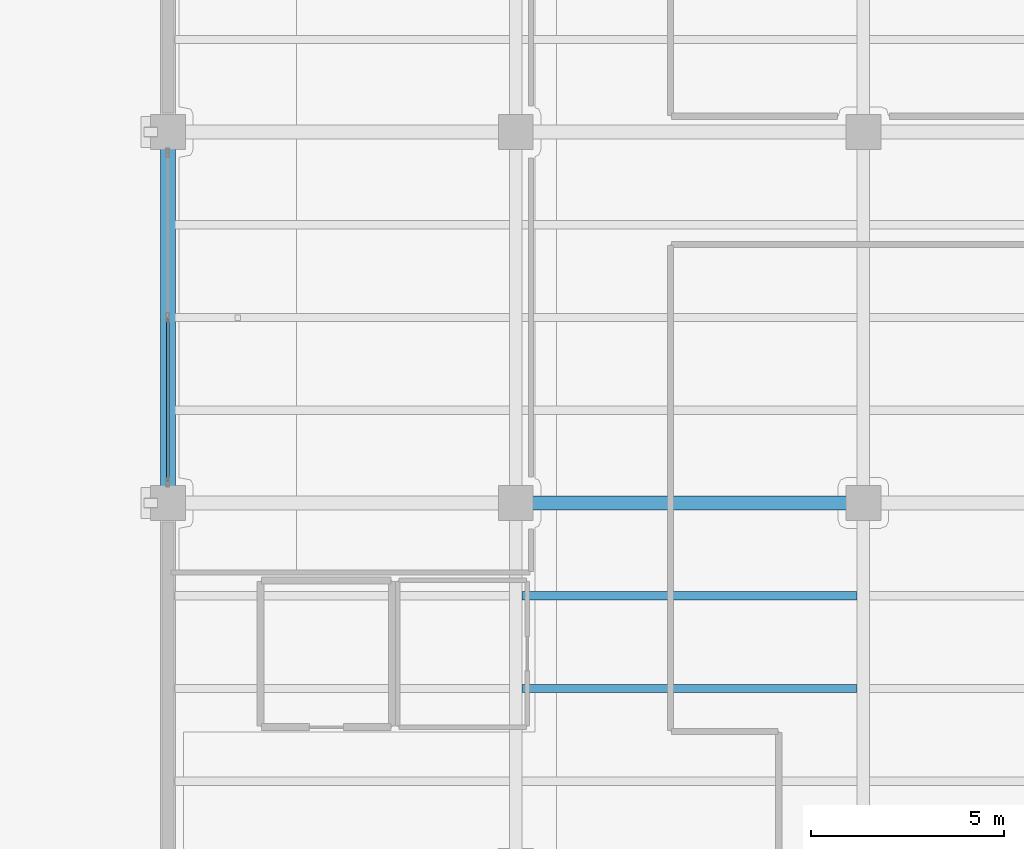
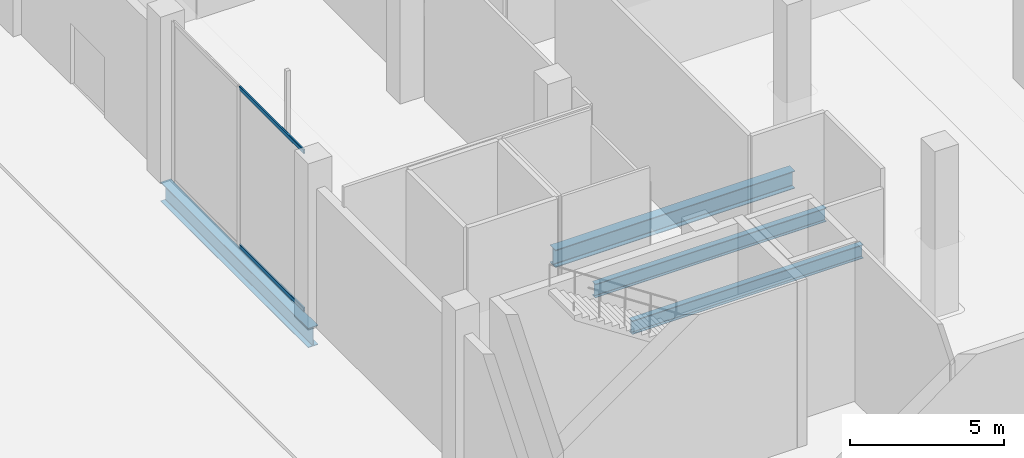
# One storey, part 4 of 45: 4 beams, 2 members, 1 element without a shape of its own.
"""IFC4 building model written with IfcOpenShell, lengths in metres."""

from ifc_helpers import new_model, si_unit, direction, frame, origin, origin_2d, place, context, subcontext, project, spatial, hollow_rectangle, i_section, extrude, material, layer, layer_set, material_profile, profile_set, type_object, element, aggregate, save


model = new_model("IFC4")

# Units and contexts
model_context = context("Model", 3, precision=1e-05, world=origin(), true_north=direction((0.0, 1.0)))
body_context = subcontext(model_context, "Body", "Model", "MODEL_VIEW")
ifc_project = project(units=[si_unit("LENGTHUNIT", "METRE"), si_unit("AREAUNIT", "SQUARE_METRE"), si_unit("VOLUMEUNIT", "CUBIC_METRE"), si_unit("PLANEANGLEUNIT", "RADIAN"), si_unit("MASSUNIT", "GRAM", prefix="KILO")], contexts=[model_context])

# Site, building, storey
site_placement = place(None, origin())
site = spatial("IfcSite", under=ifc_project, at=site_placement, CompositionType="ELEMENT")
building_placement = place(site_placement, origin())
building = spatial("IfcBuilding", under=site, at=building_placement, Name="Qorvath Tower", CompositionType="ELEMENT")
storey_placement = place(building_placement, origin())
storey = spatial("IfcBuildingStorey", under=building, at=storey_placement, Name="L00", CompositionType="ELEMENT", Elevation=0.0)

# Beams
ifc_material_1 = material(Name="Steel ASTM A992 Grade 50", Category="steel")
ifc_material_profile_1 = material_profile(ifc_material_1, i_section(OverallWidth=0.381103515625, OverallDepth=0.77294921875, WebThickness=0.0166015625, FlangeThickness=0.027099609375, FilletRadius=0.01904296875, at=origin_2d()), Name="W30x173")
ifc_profile_set_1 = profile_set([ifc_material_profile_1], Name="Steel ASTM A992 Grade 50")
beam_type_1 = type_object("IfcBeamType", Name="BM-FG3", PredefinedType="BEAM", material=ifc_profile_set_1)
beam_1_placement = place(storey_placement, frame((32.39990234375, -19.199951171875, -0.6865234375), z_axis=(0.0, 1.0, 0.0), x_axis=(-1.0, 0.0, 0.0)))
element("IfcBeam", 1, at=beam_1_placement, inside=storey, type_object=beam_type_1, Name="Library N-S Girder L00-1-3", PredefinedType="BEAM", context=body_context, shape_type="SweptSolid", body=[
    extrude(i_section(OverallWidth=0.381103515625, OverallDepth=0.77294921875, WebThickness=0.0166015625, FlangeThickness=0.027099609375, FilletRadius=0.01904296875, at=origin_2d()), origin(), (0.0, 0.0, 1.0), 9.599853515625),
])
ifc_material_2 = material(Name="Steel ASTM A992 Grade 50", Category="steel")
ifc_material_profile_2 = material_profile(ifc_material_2, i_section(OverallWidth=0.35595703125, OverallDepth=0.696044921875, WebThickness=0.015380859375, FlangeThickness=0.02490234375, FilletRadius=0.01806640625, at=origin_2d()), Name="W27x146")
ifc_profile_set_2 = profile_set([ifc_material_profile_2], Name="Steel ASTM A992 Grade 50")
beam_type_2 = type_object("IfcBeamType", Name="BM-FG4", PredefinedType="BEAM", material=ifc_profile_set_2)
beam_2_placement = place(storey_placement, frame((41.39990234375, -19.199951171875, -0.64794921875), z_axis=(1.0, 0.0, 0.0), x_axis=(0.0, 1.0, 0.0)))
element("IfcBeam", 2, at=beam_2_placement, inside=storey, type_object=beam_type_2, Name="Library E-W Girder L00-3-2", PredefinedType="BEAM", context=body_context, shape_type="SweptSolid", body=[
    extrude(i_section(OverallWidth=0.35595703125, OverallDepth=0.696044921875, WebThickness=0.015380859375, FlangeThickness=0.02490234375, FilletRadius=0.01806640625, at=origin_2d()), origin(), (0.0, 0.0, 1.0), 9.0),
])
ifc_material_3 = material(Name="Steel ASTM A992 Grade 50", Category="steel")
ifc_material_profile_3 = material_profile(ifc_material_3, i_section(OverallWidth=0.2119140625, OverallDepth=0.5439453125, WebThickness=0.01318359375, FlangeThickness=0.021240234375, FilletRadius=0.013916015625, at=origin_2d()), Name="W21x83")
ifc_profile_set_3 = profile_set([ifc_material_profile_3], Name="Steel ASTM A992 Grade 50")
beam_type_3 = type_object("IfcBeamType", Name="BM-FJ1", PredefinedType="JOIST", material=ifc_profile_set_3)
for number, where, z_axis, x_axis, name in (
    (3, (41.560546875, -24.0, -0.572021484375), (1.0, 0.0, 0.0), (0.0, 1.0, 0.0), "Library Stack Joist L00-2.2-2"),
    (4, (41.560546875, -21.60009765625, -0.572021484375), (1.0, 0.0, 0.0), (0.0, 1.0, 0.0), "Library Stack Joist L00-2.3-2"),
):
    element("IfcBeam", number, at=place(storey_placement, frame(where, z_axis=z_axis, x_axis=x_axis)), inside=storey, type_object=beam_type_3, Name=name, PredefinedType="JOIST", context=body_context, shape_type="SweptSolid", body=[
        extrude(i_section(OverallWidth=0.2119140625, OverallDepth=0.5439453125, WebThickness=0.01318359375, FlangeThickness=0.021240234375, FilletRadius=0.013916015625, at=origin_2d()), origin(), (0.0, 0.0, 1.0), 8.678955078125),
    ])

# Curtain wall, members
ifc_material_4 = material(Name="Anodised aluminium and triple low-E glass", Category="aluminium")
ifc_layer = layer(ifc_material_4, 0.179931640625)
ifc_layer_set = layer_set([ifc_layer], Name="CW-SYS-6")
curtain_wall_type = type_object("IfcCurtainWallType", Name="CW-SYS-6", PredefinedType="NOTDEFINED", material=ifc_layer_set)
curtain_wall_placement = place(storey_placement, origin())
curtain_wall = element("IfcCurtainWall", 5, at=curtain_wall_placement, inside=storey, type_object=curtain_wall_type, Name="Curtain Wall CW-6 CW-LIB-W-L00-3", PredefinedType="NOTDEFINED")
ifc_material_5 = material(Name="Anodised aluminium 6063-T6", Category="aluminium")
ifc_material_profile_4 = material_profile(ifc_material_5, hollow_rectangle(XDim=0.06494140625, YDim=0.159912109375, WallThickness=0.00341796875, InnerFilletRadius=0.00341796875, OuterFilletRadius=0.007080078125, at=origin_2d()), Name="CWT 160x65")
ifc_profile_set_4 = profile_set([ifc_material_profile_4], Name="Anodised aluminium 6063-T6")
member_type = type_object("IfcMemberType", Name="CWT-160", PredefinedType="USERDEFINED", material=ifc_profile_set_4)
member_1_placement = place(storey_placement, frame((32.39990234375, -18.625, 0.032470703125), z_axis=(0.0, 1.0, 0.0), x_axis=(-1.0, 0.0, 0.0)))
member_1 = element("IfcMember", 6, at=member_1_placement, type_object=member_type, Name="CW-6 transom 1.1", ObjectType="TRANSOM", PredefinedType="USERDEFINED", context=body_context, shape_type="SweptSolid", body=[
    extrude(hollow_rectangle(XDim=0.06494140625, YDim=0.159912109375, WallThickness=0.00341796875, InnerFilletRadius=0.00341796875, OuterFilletRadius=0.007080078125, at=origin_2d()), origin(), (0.0, 0.0, 1.0), 4.18505859375),
])
member_2_placement = place(storey_placement, frame((32.39990234375, -18.625, 6.3076171875), z_axis=(0.0, 1.0, 0.0), x_axis=(-1.0, 0.0, 0.0)))
member_2 = element("IfcMember", 7, at=member_2_placement, type_object=member_type, Name="CW-6 transom 1.2", ObjectType="TRANSOM", PredefinedType="USERDEFINED", context=body_context, shape_type="SweptSolid", body=[
    extrude(hollow_rectangle(XDim=0.06494140625, YDim=0.159912109375, WallThickness=0.00341796875, InnerFilletRadius=0.00341796875, OuterFilletRadius=0.007080078125, at=origin_2d()), origin(), (0.0, 0.0, 1.0), 4.18505859375),
])
aggregate(curtain_wall, [member_1, member_2])

save(model, "model.ifc")
